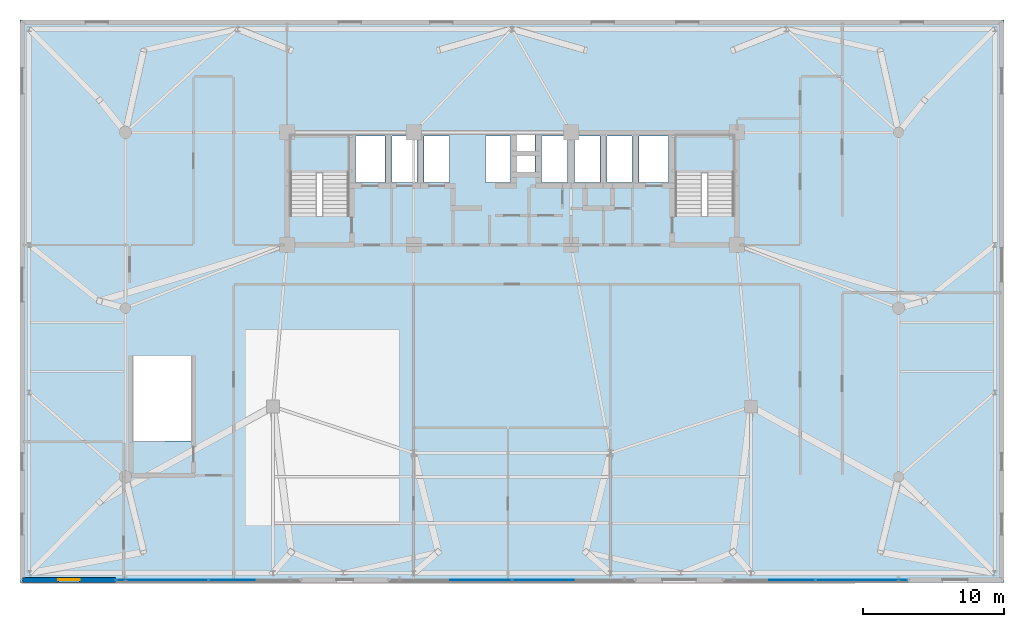
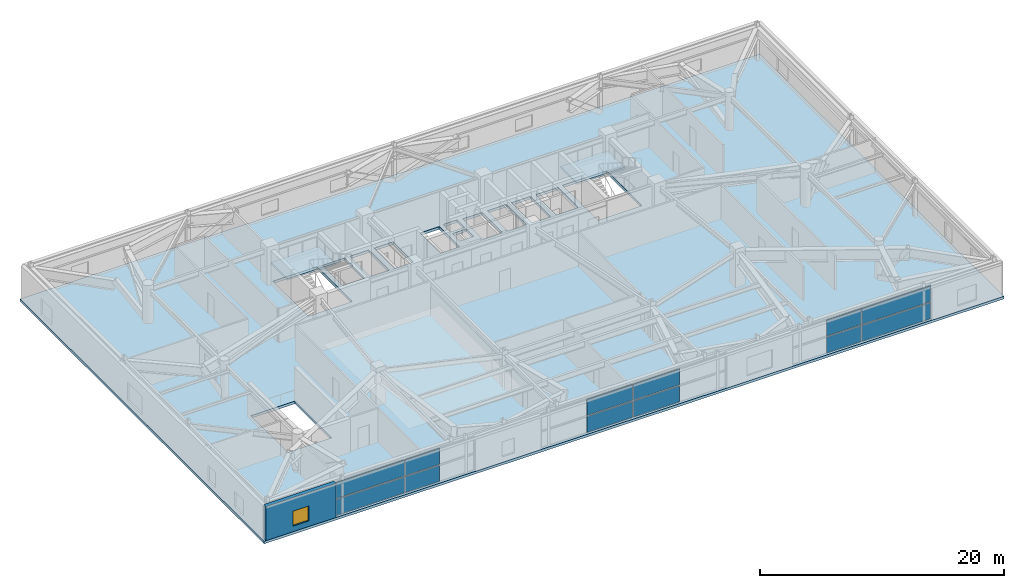
# One storey, part 19 of 27: 12 plates, 3 slabs, 1 wall, 1 window, 1 opening, 8 elements without a shape of their own.
"""IFC4 building model written with IfcOpenShell, lengths in metres."""

from ifc_helpers import new_model, si_unit, direction, frame, frame_2d, origin, origin_2d, place, context, subcontext, project, spatial, polyline, rectangle, outline, extrude, source, transform, mapped, material, layer, layer_set, type_object, element, fill, aggregate, save


model = new_model("IFC4")

# Units and contexts
model_context = context("Model", 3, precision=1e-05, world=origin(), true_north=direction((0.0, 1.0)))
body_context = subcontext(model_context, "Body", "Model", "MODEL_VIEW")
ifc_project = project(units=[si_unit("LENGTHUNIT", "METRE"), si_unit("AREAUNIT", "SQUARE_METRE"), si_unit("VOLUMEUNIT", "CUBIC_METRE"), si_unit("PLANEANGLEUNIT", "RADIAN"), si_unit("MASSUNIT", "GRAM", prefix="KILO")], contexts=[model_context])

# Site, building, storey
site_placement = place(None, origin())
site = spatial("IfcSite", under=ifc_project, at=site_placement, CompositionType="ELEMENT")
building_placement = place(site_placement, origin())
building = spatial("IfcBuilding", under=site, at=building_placement, Name="Taldren Reach Tower", CompositionType="ELEMENT")
storey_placement = place(building_placement, frame((0.0, 0.0, 12.949951171875)))
storey = spatial("IfcBuildingStorey", under=building, at=storey_placement, Name="L03", CompositionType="ELEMENT", Elevation=12.949951171875)

# Slab
ifc_material_1 = material(Name="Concrete S50 (50 MPa)", Category="concrete")
ifc_layer_1 = layer(ifc_material_1, 0.260009765625)
ifc_layer_set_1 = layer_set([ifc_layer_1], Name="Concrete S50 (50 MPa)")
slab_type_1 = type_object("IfcSlabType", Name="SL-FLR-260", PredefinedType="FLOOR", material=ifc_layer_set_1)
slab_1_placement = place(storey_placement, frame((0.0, 0.0, -0.260009765625)))
element("IfcSlab", 1, at=slab_1_placement, inside=storey, type_object=slab_type_1, Name="Suspended floor slab L03", PredefinedType="FLOOR", context=body_context, shape_type="SweptSolid", body=[
    extrude(outline(polyline([(0.0, 0.0), (70.0, 0.0), (70.0, 40.0), (0.0, 40.0), (0.0, 0.0)]), holes=[polyline([(19.219970703125, 26.050048828125), (23.3798828125, 26.050048828125), (23.3798828125, 31.820068359375), (19.219970703125, 31.820068359375), (19.219970703125, 26.050048828125)]), polyline([(46.6201171875, 26.050048828125), (50.780029296875, 26.050048828125), (50.780029296875, 31.820068359375), (46.6201171875, 31.820068359375), (46.6201171875, 26.050048828125)]), polyline([(8.050048828125, 10.050048828125), (12.18994140625, 10.050048828125), (12.18994140625, 16.080078125), (8.050048828125, 16.080078125), (8.050048828125, 10.050048828125)]), polyline([(23.85009765625, 28.449951171875), (25.949951171875, 28.449951171875), (25.949951171875, 31.75), (23.85009765625, 31.75), (23.85009765625, 28.449951171875)]), polyline([(44.050048828125, 28.449951171875), (46.14990234375, 28.449951171875), (46.14990234375, 31.75), (44.050048828125, 31.75), (44.050048828125, 28.449951171875)]), polyline([(26.449951171875, 28.449951171875), (28.25, 28.449951171875), (28.25, 31.75), (26.449951171875, 31.75), (26.449951171875, 28.449951171875)]), polyline([(28.75, 28.449951171875), (30.550048828125, 28.449951171875), (30.550048828125, 31.75), (28.75, 31.75), (28.75, 28.449951171875)]), polyline([(33.10009765625, 28.449951171875), (34.89990234375, 28.449951171875), (34.89990234375, 31.75), (33.10009765625, 31.75), (33.10009765625, 28.449951171875)]), polyline([(37.10009765625, 28.449951171875), (38.949951171875, 28.449951171875), (38.949951171875, 31.75), (37.10009765625, 31.75), (37.10009765625, 28.449951171875)]), polyline([(39.449951171875, 28.449951171875), (41.25, 28.449951171875), (41.25, 31.75), (39.449951171875, 31.75), (39.449951171875, 28.449951171875)]), polyline([(41.75, 28.449951171875), (43.550048828125, 28.449951171875), (43.550048828125, 31.75), (41.75, 31.75), (41.75, 28.449951171875)]), polyline([(35.35009765625, 30.64990234375), (36.64990234375, 30.64990234375), (36.64990234375, 31.85009765625), (35.35009765625, 31.85009765625), (35.35009765625, 30.64990234375)]), polyline([(35.35009765625, 29.14990234375), (36.64990234375, 29.14990234375), (36.64990234375, 30.35009765625), (35.35009765625, 30.35009765625), (35.35009765625, 29.14990234375)])]), origin(), (0.0, 0.0, 1.0), 0.260009765625),
])

# Stair, slab
stair_type = type_object("IfcStairType", Name="ST-HT-385W", PredefinedType="HALF_TURN_STAIR", material=ifc_material_1)
stair_1_placement = place(storey_placement, origin())
stair_1 = element("IfcStair", 2, at=stair_1_placement, inside=storey, type_object=stair_type, Name="Fire-isolated exit stair ST1 L03", PredefinedType="HALF_TURN_STAIR")
ifc_layer_2 = layer(ifc_material_1, 0.179931640625)
ifc_layer_set_2 = layer_set([ifc_layer_2], Name="Concrete S50 (50 MPa)")
slab_type_2 = type_object("IfcSlabType", Name="SL-LAND-180", PredefinedType="LANDING", material=ifc_layer_set_2)
slab_2_placement = place(storey_placement, frame((0.0, 0.0, 1.7451171875)))
slab_2 = element("IfcSlab", 3, at=slab_2_placement, type_object=slab_type_2, Name="ST1 landing 1", PredefinedType="LANDING", context=body_context, shape_type="SweptSolid", body=[
    extrude(outline(polyline([(19.0400390625, 29.135009765625), (23.56005859375, 29.135009765625), (23.56005859375, 31.8701171875), (19.0400390625, 31.8701171875), (19.0400390625, 29.135009765625)])), origin(), (0.0, 0.0, 1.0), 0.179931640625),
])
aggregate(stair_1, [slab_2])

stair_2_placement = place(storey_placement, origin())
stair_2 = element("IfcStair", 4, at=stair_2_placement, inside=storey, type_object=stair_type, Name="Fire-isolated exit stair ST2 L03", PredefinedType="HALF_TURN_STAIR")
slab_3_placement = place(storey_placement, frame((0.0, 0.0, 1.7451171875)))
slab_3 = element("IfcSlab", 5, at=slab_3_placement, type_object=slab_type_2, Name="ST2 landing 1", PredefinedType="LANDING", context=body_context, shape_type="SweptSolid", body=[
    extrude(outline(polyline([(46.43994140625, 29.135009765625), (50.9599609375, 29.135009765625), (50.9599609375, 31.8701171875), (46.43994140625, 31.8701171875), (46.43994140625, 29.135009765625)])), origin(), (0.0, 0.0, 1.0), 0.179931640625),
])
aggregate(stair_2, [slab_3])

# Curtain wall, plate
ifc_material_2 = material(Name="Aluminium and Low-E Glass Unitised System", Category="aluminium")
ifc_layer_3 = layer(ifc_material_2, 0.159912109375)
ifc_layer_set_3 = layer_set([ifc_layer_3], Name="Aluminium and Low-E Glass Unitised System")
curtain_wall_type = type_object("IfcCurtainWallType", Name="CW-SYS-1", PredefinedType="NOTDEFINED", material=ifc_layer_set_3)
curtain_wall_1_placement = place(storey_placement, origin())
curtain_wall_1 = element("IfcCurtainWall", 6, at=curtain_wall_1_placement, inside=storey, type_object=curtain_wall_type, Name="Unitised curtain wall CW1-L03-S1", PredefinedType="NOTDEFINED")
ifc_material_3 = material(Name="Low-E Double Glazed IGU", Category="glass")
ifc_layer_4 = layer(ifc_material_3, 0.028076171875)
ifc_layer_set_4 = layer_set([ifc_layer_4], Name="Low-E Double Glazed IGU")
plate_type = type_object("IfcPlateType", Name="CW-PNL-IGU28", PredefinedType="CURTAIN_PANEL", material=ifc_layer_set_4)
shared_shape_1 = source(origin(), body_context, "Body", "SweptSolid", [
    extrude(rectangle(XDim=6.4951171875, YDim=0.028076171875, at=origin_2d()), origin(), (0.0, 0.0, 1.0), 1.594970703125),
])
plate_1_placement = place(storey_placement, frame((10.117431640625, 0.169921875, 0.06005859375), z_axis=(0.0, 0.0, 1.0), x_axis=(1.0, 0.0, 0.0)))
plate_1 = element("IfcPlate", 7, at=plate_1_placement, type_object=plate_type, Name="CW-1 panel 1.1", PredefinedType="CURTAIN_PANEL", context=body_context, shape_type="MappedRepresentation", body=[
    mapped(shared_shape_1, transform((0.0, 0.0, 0.0), scale=1.0)),
])

curtain_wall_2_placement = place(storey_placement, origin())
curtain_wall_2 = element("IfcCurtainWall", 8, at=curtain_wall_2_placement, inside=storey, type_object=curtain_wall_type, Name="Unitised curtain wall CW1-L03-S1-T2", PredefinedType="NOTDEFINED")
plate_2_placement = place(storey_placement, frame((10.117431640625, 0.169921875, 1.77490234375), z_axis=(0.0, 0.0, 1.0), x_axis=(1.0, 0.0, 0.0)))
plate_2 = element("IfcPlate", 9, at=plate_2_placement, type_object=plate_type, Name="CW-1 panel 1.1", PredefinedType="CURTAIN_PANEL", context=body_context, shape_type="MappedRepresentation", body=[
    mapped(shared_shape_1, transform((0.0, 0.0, 0.0), scale=1.0)),
])

curtain_wall_3_placement = place(storey_placement, origin())
curtain_wall_3 = element("IfcCurtainWall", 10, at=curtain_wall_3_placement, inside=storey, type_object=curtain_wall_type, Name="Unitised curtain wall CW1-L03-S3", PredefinedType="NOTDEFINED")
plate_3_placement = place(storey_placement, frame((59.882568359375, 0.169921875, 0.06005859375), z_axis=(0.0, 0.0, 1.0), x_axis=(1.0, 0.0, 0.0)))
plate_3 = element("IfcPlate", 11, at=plate_3_placement, type_object=plate_type, Name="CW-1 panel 2.1", PredefinedType="CURTAIN_PANEL", context=body_context, shape_type="MappedRepresentation", body=[
    mapped(shared_shape_1, transform((0.0, 0.0, 0.0), scale=1.0)),
])

curtain_wall_4_placement = place(storey_placement, origin())
curtain_wall_4 = element("IfcCurtainWall", 12, at=curtain_wall_4_placement, inside=storey, type_object=curtain_wall_type, Name="Unitised curtain wall CW1-L03-S3-T2", PredefinedType="NOTDEFINED")
plate_4_placement = place(storey_placement, frame((59.882568359375, 0.169921875, 1.77490234375), z_axis=(0.0, 0.0, 1.0), x_axis=(1.0, 0.0, 0.0)))
plate_4 = element("IfcPlate", 13, at=plate_4_placement, type_object=plate_type, Name="CW-1 panel 2.1", PredefinedType="CURTAIN_PANEL", context=body_context, shape_type="MappedRepresentation", body=[
    mapped(shared_shape_1, transform((0.0, 0.0, 0.0), scale=1.0)),
])

# Plate
shared_shape_2 = source(origin(), body_context, "Body", "SweptSolid", [
    extrude(rectangle(XDim=3.24755859375, YDim=0.028076171875, at=origin_2d()), origin(), (0.0, 0.0, 1.0), 1.594970703125),
])
plate_5_placement = place(storey_placement, frame((15.058837890625, 0.169921875, 0.06005859375), z_axis=(0.0, 0.0, 1.0), x_axis=(1.0, 0.0, 0.0)))
plate_5 = element("IfcPlate", 14, at=plate_5_placement, type_object=plate_type, Name="CW-1 panel 2.1 part 1", PredefinedType="CURTAIN_PANEL", context=body_context, shape_type="MappedRepresentation", body=[
    mapped(shared_shape_2, transform((0.0, 0.0, 0.0), scale=1.0)),
])

aggregate(curtain_wall_1, [plate_1, plate_5])

plate_6_placement = place(storey_placement, frame((15.058837890625, 0.169921875, 1.77490234375), z_axis=(0.0, 0.0, 1.0), x_axis=(1.0, 0.0, 0.0)))
plate_6 = element("IfcPlate", 15, at=plate_6_placement, type_object=plate_type, Name="CW-1 panel 2.1 part 1", PredefinedType="CURTAIN_PANEL", context=body_context, shape_type="MappedRepresentation", body=[
    mapped(shared_shape_2, transform((0.0, 0.0, 0.0), scale=1.0)),
])

aggregate(curtain_wall_2, [plate_2, plate_6])

plate_7_placement = place(storey_placement, frame((54.941162109375, 0.169921875, 0.06005859375), z_axis=(0.0, 0.0, 1.0), x_axis=(1.0, 0.0, 0.0)))
plate_7 = element("IfcPlate", 16, at=plate_7_placement, type_object=plate_type, Name="CW-1 panel 1.1 part 1", PredefinedType="CURTAIN_PANEL", context=body_context, shape_type="MappedRepresentation", body=[
    mapped(shared_shape_2, transform((0.0, 0.0, 0.0), scale=1.0)),
])

aggregate(curtain_wall_3, [plate_3, plate_7])

plate_8_placement = place(storey_placement, frame((54.941162109375, 0.169921875, 1.77490234375), z_axis=(0.0, 0.0, 1.0), x_axis=(1.0, 0.0, 0.0)))
plate_8 = element("IfcPlate", 17, at=plate_8_placement, type_object=plate_type, Name="CW-1 panel 1.1 part 1", PredefinedType="CURTAIN_PANEL", context=body_context, shape_type="MappedRepresentation", body=[
    mapped(shared_shape_2, transform((0.0, 0.0, 0.0), scale=1.0)),
])

aggregate(curtain_wall_4, [plate_4, plate_8])

# Curtain wall, plates
curtain_wall_5_placement = place(storey_placement, origin())
curtain_wall_5 = element("IfcCurtainWall", 18, at=curtain_wall_5_placement, inside=storey, type_object=curtain_wall_type, Name="Unitised curtain wall CW1-L03-S2", PredefinedType="NOTDEFINED")
shared_shape_3 = source(origin(), body_context, "Body", "SweptSolid", [
    extrude(rectangle(XDim=4.347412109375, YDim=0.028076171875, at=origin_2d()), origin(), (0.0, 0.0, 1.0), 1.594970703125),
])
plate_9_placement = place(storey_placement, frame((32.791259765625, 0.169921875, 0.06005859375), z_axis=(0.0, 0.0, 1.0), x_axis=(1.0, 0.0, 0.0)))
plate_9 = element("IfcPlate", 19, at=plate_9_placement, type_object=plate_type, Name="CW-1 panel 1.1 part 1", PredefinedType="CURTAIN_PANEL", context=body_context, shape_type="MappedRepresentation", body=[
    mapped(shared_shape_3, transform((0.0, 0.0, 0.0), scale=1.0)),
])
plate_10_placement = place(storey_placement, frame((37.208740234375, 0.169921875, 0.06005859375), z_axis=(0.0, 0.0, 1.0), x_axis=(1.0, 0.0, 0.0)))
plate_10 = element("IfcPlate", 20, at=plate_10_placement, type_object=plate_type, Name="CW-1 panel 2.1 part 1", PredefinedType="CURTAIN_PANEL", context=body_context, shape_type="MappedRepresentation", body=[
    mapped(shared_shape_3, transform((0.0, 0.0, 0.0), scale=1.0)),
])
aggregate(curtain_wall_5, [plate_9, plate_10])

curtain_wall_6_placement = place(storey_placement, origin())
curtain_wall_6 = element("IfcCurtainWall", 21, at=curtain_wall_6_placement, inside=storey, type_object=curtain_wall_type, Name="Unitised curtain wall CW1-L03-S2-T2", PredefinedType="NOTDEFINED")
plate_11_placement = place(storey_placement, frame((32.791259765625, 0.169921875, 1.77490234375), z_axis=(0.0, 0.0, 1.0), x_axis=(1.0, 0.0, 0.0)))
plate_11 = element("IfcPlate", 22, at=plate_11_placement, type_object=plate_type, Name="CW-1 panel 1.1 part 1", PredefinedType="CURTAIN_PANEL", context=body_context, shape_type="MappedRepresentation", body=[
    mapped(shared_shape_3, transform((0.0, 0.0, 0.0), scale=1.0)),
])
plate_12_placement = place(storey_placement, frame((37.208740234375, 0.169921875, 1.77490234375), z_axis=(0.0, 0.0, 1.0), x_axis=(1.0, 0.0, 0.0)))
plate_12 = element("IfcPlate", 23, at=plate_12_placement, type_object=plate_type, Name="CW-1 panel 2.1 part 1", PredefinedType="CURTAIN_PANEL", context=body_context, shape_type="MappedRepresentation", body=[
    mapped(shared_shape_3, transform((0.0, 0.0, 0.0), scale=1.0)),
])
aggregate(curtain_wall_6, [plate_11, plate_12])

# Wall, opening, window
ifc_material_4 = material(Name="Pale Champagne Anodised Aluminium Cladding", Category="aluminium")
ifc_layer_5 = layer(ifc_material_4, 0.04, Name="Pale Champagne Anodised Aluminium Cladding", Category="aluminium")
ifc_material_5 = material(Name="Mineral Wool Thermal Insulation", Category="insulation")
ifc_layer_6 = layer(ifc_material_5, 0.08, Name="Mineral Wool Thermal Insulation", Category="insulation")
ifc_layer_7 = layer(ifc_material_1, 0.22, Name="Concrete S50 (50 MPa)", Category="concrete")
ifc_layer_set_5 = layer_set([ifc_layer_5, ifc_layer_6, ifc_layer_7], Name="Pale Champagne Aluminium Cladding and Precast Concrete 50 MPa (S50)")
wall_type = type_object("IfcWallType", Name="EW-POD-340", PredefinedType="SOLIDWALL", material=ifc_layer_set_5)
shared_shape_4 = source(origin(), body_context, "Body", "SweptSolid", [
    extrude(rectangle(XDim=6.630126953125, YDim=0.340087890625, at=frame_2d((3.31494140625, 0.0))), origin(), (0.0, 0.0, 1.0), 3.429931640625),
])
wall_placement = place(storey_placement, frame((0.169921875, 0.169921875, 0.0), z_axis=(0.0, 0.0, 1.0), x_axis=(1.0, 0.0, 0.0)))
wall = element("IfcWall", 24, at=wall_placement, inside=storey, type_object=wall_type, Name="Podium south facade wall L03-S1", PredefinedType="SOLIDWALL", context=body_context, shape_type="MappedRepresentation", body=[
    mapped(shared_shape_4, transform((0.0, 0.0, 0.0), scale=1.0)),
])
shared_shape_5 = source(origin(), body_context, "Body", "SweptSolid", [
    extrude(rectangle(XDim=1.5, YDim=1.5, at=frame_2d((0.75, 0.75))), frame((0.0, 0.18017578125, 0.0), z_axis=(0.0, -1.0, 0.0), x_axis=(1.0, 0.0, 0.0)), (0.0, 0.0, 1.0), 0.360107421875),
])
opening_placement = place(wall_placement, frame((2.56494140625, 0.0, 0.550048828125)))
opening = element("IfcOpeningElement", 25, at=opening_placement, cuts=wall, Name="Opening W-1515", PredefinedType="OPENING", context=body_context, shape_type="MappedRepresentation", body=[
    mapped(shared_shape_5, transform((0.0, 0.0, 0.0), scale=1.0)),
])
ifc_material_6 = material(Name="Thermally Broken Aluminium and Low-E IGU", Category="aluminium")
window_type = type_object("IfcWindowType", Name="WN-POD-1500", PartitioningType="SINGLE_PANEL", PredefinedType="WINDOW", material=ifc_material_6)
shared_shape_6 = source(origin(), body_context, "Body", "SweptSolid", [
    extrude(rectangle(XDim=1.5, YDim=1.5, at=frame_2d((0.75, 0.75))), frame((0.0, 0.030029296875, 0.0), z_axis=(0.0, -1.0, 0.0), x_axis=(1.0, 0.0, 0.0)), (0.0, 0.0, 1.0), 0.06005859375),
])
window_placement = place(opening_placement, origin())
window = element("IfcWindow", 26, at=window_placement, inside=storey, type_object=window_type, Name="Podium clinical window L03-S1", OverallHeight=1.5, OverallWidth=1.5, PartitioningType="SINGLE_PANEL", PredefinedType="WINDOW", context=body_context, shape_type="MappedRepresentation", body=[
    mapped(shared_shape_6, transform((0.0, 0.0, 0.0), scale=1.0)),
])
fill(opening, window)

save(model, "model.ifc")
